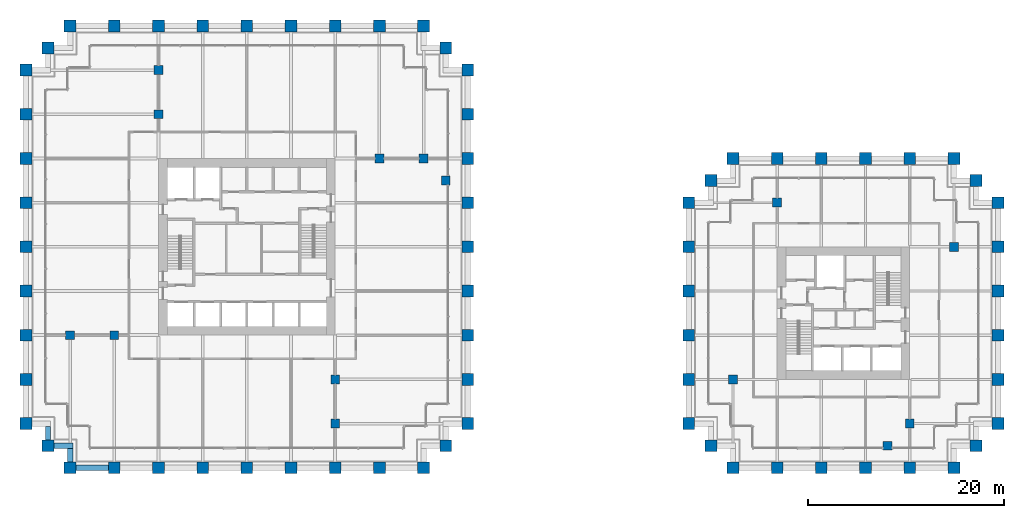
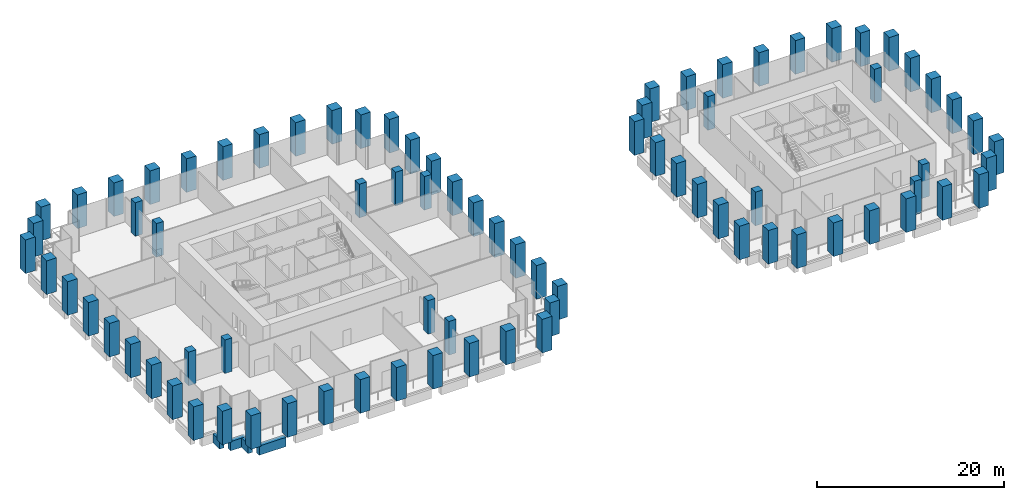
# One storey, part 1 of 36: 82 columns, 4 beams.
"""IFC4 building model written with IfcOpenShell, lengths in metres."""

import ifcopenshell
import ifcopenshell.guid

model = None  # the IFC model being written
_history = None  # IfcOwnerHistory: only IFC2X3 demands one
_inside = {}  # id of a spatial element -> (the spatial element, [elements in it])
_under = {}  # id of a project, library or spatial element -> (it, [spatial elements below it])
_declared = {}  # id of a project -> (the project, [libraries it declares])
_typed = {}  # id of a type object -> (the type object, [elements of that type])
_made_of = {}  # id of a material, layer set ... -> (it, [elements and type objects made of it])


def new_model(schema):
    """Start an empty IFC model of exactly this schema.

    Asked for "IFC4X3", IfcOpenShell would pick the latest addendum, in which some entities
    have other attributes; the version numbers below select the first issue.
    IFC2X3 requires an IfcOwnerHistory on every rooted entity: one is made here for all.
    """
    global model, _history
    if schema == "IFC4X3":
        model = ifcopenshell.file(schema_version=(4, 3, 0, 0))
    else:
        model = ifcopenshell.file(schema=schema)
    _inside.clear()
    _under.clear()
    _declared.clear()
    _typed.clear()
    _made_of.clear()
    _history = None
    if model.schema == "IFC2X3":
        org = make("IfcOrganization", Name="unknown")
        user = make(
            "IfcPersonAndOrganization",
            ThePerson=make("IfcPerson", FamilyName="unknown"),
            TheOrganization=org,
        )
        app = make(
            "IfcApplication",
            ApplicationDeveloper=org,
            Version="unknown",
            ApplicationFullName="unknown",
            ApplicationIdentifier="unknown",
        )
        _history = make(
            "IfcOwnerHistory",
            OwningUser=user,
            OwningApplication=app,
            ChangeAction="ADDED",
            CreationDate=0,
        )
    return model


def make(cls, **values):
    """One entity of the class cls with the attributes given. An attribute that is None is left unset."""
    return model.create_entity(
        cls, **{name: value for name, value in values.items() if value is not None}
    )


def rooted(cls, **values):
    """An entity with a GlobalId (a new one), such as an element, a storey or a relation."""
    return make(cls, GlobalId=ifcopenshell.guid.new(), OwnerHistory=_history, **values)


def si_unit(unit_type, name, prefix=None):
    """IfcSIUnit, for example si_unit("LENGTHUNIT", "METRE", prefix="MILLI")."""
    return make("IfcSIUnit", UnitType=unit_type, Prefix=prefix, Name=name)


def assignment(units):
    """IfcUnitAssignment: the units of a project."""
    return None if units is None else make("IfcUnitAssignment", Units=units)


def point(xyz):
    """IfcCartesianPoint."""
    return None if xyz is None else make("IfcCartesianPoint", Coordinates=xyz)


def direction(xyz):
    """IfcDirection."""
    return None if xyz is None else make("IfcDirection", DirectionRatios=xyz)


def frame(location, z_axis=None, x_axis=None):
    """IfcAxis2Placement3D, a coordinate frame: its origin and axes. An axis left out is left unset."""
    return make(
        "IfcAxis2Placement3D",
        Location=point(location),
        Axis=direction(z_axis),
        RefDirection=direction(x_axis),
    )


def frame_2d(location, x_axis=None):
    """IfcAxis2Placement2D, a coordinate frame in the plane: its origin and x axis."""
    return make(
        "IfcAxis2Placement2D", Location=point(location), RefDirection=direction(x_axis)
    )


def origin():
    """The frame at (0, 0, 0) with its axes left unset."""
    return frame((0.0, 0.0, 0.0))


def origin_2d():
    """The frame at (0, 0) in the plane with its x axis left unset."""
    return frame_2d((0.0, 0.0))


def place(relative_to, where):
    """IfcLocalPlacement: puts the frame where relative to a parent placement (None: the world)."""
    return make(
        "IfcLocalPlacement", PlacementRelTo=relative_to, RelativePlacement=where
    )


def context(
    kind, dimensions, precision=None, world=None, true_north=None, identifier=None
):
    """IfcGeometricRepresentationContext, for example the 3D "Model" context."""
    return make(
        "IfcGeometricRepresentationContext",
        ContextIdentifier=identifier,
        ContextType=kind,
        CoordinateSpaceDimension=dimensions,
        Precision=precision,
        WorldCoordinateSystem=world,
        TrueNorth=true_north,
    )


def subcontext(parent, identifier, kind, view, scale=None):
    """IfcGeometricRepresentationSubContext, for example "Body" below "Model"."""
    return make(
        "IfcGeometricRepresentationSubContext",
        ContextIdentifier=identifier,
        ContextType=kind,
        ParentContext=parent,
        TargetScale=scale,
        TargetView=view,
    )


def project(units=None, contexts=None):
    """IfcProject with its units and contexts."""
    return rooted(
        "IfcProject",
        Name="project",
        RepresentationContexts=contexts,
        UnitsInContext=assignment(units),
    )


def spatial(cls, under=None, at=None, **own):
    """A site, building, storey or space (cls), placed at a placement, below another one or the project."""
    s = rooted(cls, ObjectPlacement=at, **own)
    if under is not None:
        _under.setdefault(under.id(), (under, []))[1].append(s)
    return s


def profile(cls, at=None, kind="AREA", **sizes):
    """A parametric profile (cls). Its sizes go by their IFC names, for example OverallWidth=200.0."""
    return make(cls, ProfileType=kind, Position=at, **sizes)


def rectangle(**sizes):
    """IfcRectangleProfileDef."""
    return profile("IfcRectangleProfileDef", **sizes)


def extrude(swept, where, along, depth):
    """IfcExtrudedAreaSolid: the profile swept, set in the frame where, extruded along a direction by depth."""
    return make(
        "IfcExtrudedAreaSolid",
        SweptArea=swept,
        Position=where,
        ExtrudedDirection=direction(along),
        Depth=depth,
    )


def shape(context_of_items, identifier, shape_type, items):
    """IfcShapeRepresentation: the items that make up one representation, for example the "Body"."""
    return make(
        "IfcShapeRepresentation",
        ContextOfItems=context_of_items,
        RepresentationIdentifier=identifier,
        RepresentationType=shape_type,
        Items=items,
    )


def material(Name=None, Category=None):
    """IfcMaterial."""
    return make("IfcMaterial", Name=Name, Category=Category)


def material_profile(
    of_material, cross_section, Name=None, Category=None, Priority=None
):
    """IfcMaterialProfile: a cross section and its material."""
    return make(
        "IfcMaterialProfile",
        Name=Name,
        Material=of_material,
        Profile=cross_section,
        Priority=Priority,
        Category=Category,
    )


def profile_set(profiles, Name=None, composite=None):
    """IfcMaterialProfileSet."""
    return make(
        "IfcMaterialProfileSet",
        Name=Name,
        MaterialProfiles=profiles,
        CompositeProfile=composite,
    )


def made_of(thing, what):
    """Note that an element or type object is made of a material, layer set ...; save() writes the relation."""
    if what is not None:
        _made_of.setdefault(what.id(), (what, []))[1].append(thing)
    return thing


def type_object(cls, material=None, **own):
    """A type object (cls), such as IfcWallType, which elements share."""
    return made_of(rooted(cls, **own), material)


def element(
    cls,
    number,
    at=None,
    inside=None,
    cuts=None,
    type_object=None,
    material=None,
    context=None,
    identifier="Body",
    shape_type=None,
    held_by="IfcProductDefinitionShape",
    body=None,
    shapes=None,
    **own,
):
    """One element of the class cls, such as IfcWall. Its Tag is "e" and its number.

    at: its placement. inside: the storey or other place that contains it. cuts: it is an
    opening in that element (IfcRelVoidsElement). A single representation is given by context,
    identifier, shape_type and body (its items); several are given by shapes. held_by: the class
    of the entity that holds the representations. save() writes the other relations.
    """
    e = rooted(cls, Tag="e%d" % number, ObjectPlacement=at, **own)
    if body is not None:
        shapes = [shape(context, identifier, shape_type, body)]
    if shapes is not None:
        e.Representation = make(held_by, Representations=shapes)
    if inside is not None:
        _inside.setdefault(inside.id(), (inside, []))[1].append(e)
    if cuts is not None:
        rooted(
            "IfcRelVoidsElement", RelatingBuildingElement=cuts, RelatedOpeningElement=e
        )
    if type_object is not None:
        _typed.setdefault(type_object.id(), (type_object, []))[1].append(e)
    return made_of(e, material)


def aggregate(whole, parts):
    """IfcRelAggregates: a whole, such as a stair, and the parts it consists of."""
    return rooted("IfcRelAggregates", RelatingObject=whole, RelatedObjects=parts)


def save(model, path):
    """Write the relations noted so far, then the file.

    IfcRelAggregates (storeys below a building ...), IfcRelContainedInSpatialStructure (elements
    in a storey), IfcRelDefinesByType, IfcRelAssociatesMaterial and IfcRelDeclares: one each for
    every whole, place, type object, material and project.
    """
    for whole, parts in _under.values():
        aggregate(whole, parts)
    for where, things in _inside.values():
        rooted(
            "IfcRelContainedInSpatialStructure",
            RelatedElements=things,
            RelatingStructure=where,
        )
    for kind, things in _typed.values():
        rooted("IfcRelDefinesByType", RelatedObjects=things, RelatingType=kind)
    for what, things in _made_of.values():
        rooted("IfcRelAssociatesMaterial", RelatedObjects=things, RelatingMaterial=what)
    for by, libraries in _declared.values():
        rooted("IfcRelDeclares", RelatingContext=by, RelatedDefinitions=libraries)
    model.write(path)


model = new_model("IFC4")

# Units and contexts
model_context = context("Model", 3, precision=1e-05, world=origin(), true_north=direction((0.0, 1.0)))
body_context = subcontext(model_context, "Body", "Model", "MODEL_VIEW")
ifc_project = project(units=[si_unit("LENGTHUNIT", "METRE"), si_unit("AREAUNIT", "SQUARE_METRE"), si_unit("VOLUMEUNIT", "CUBIC_METRE"), si_unit("PLANEANGLEUNIT", "RADIAN"), si_unit("MASSUNIT", "GRAM", prefix="KILO")], contexts=[model_context])

# Site, building, storey
site_placement = place(None, origin())
site = spatial("IfcSite", under=ifc_project, at=site_placement, CompositionType="ELEMENT")
building_placement = place(site_placement, origin())
building = spatial("IfcBuilding", under=site, at=building_placement, Name="Altepetl Exchange Towers", CompositionType="ELEMENT")
storey_placement = place(building_placement, frame((0.0, 0.0, 29.800048828125)))
storey = spatial("IfcBuildingStorey", under=building, at=storey_placement, Name="L06", CompositionType="ELEMENT", Elevation=29.800048828125)

# Columns
ifc_material_1 = material(Name="Concrete C70/85", Category="concrete")
ifc_material_profile_1 = material_profile(ifc_material_1, rectangle(XDim=0.89990234375, YDim=0.89990234375, at=origin_2d()), Name="900 x 900")
ifc_profile_set_1 = profile_set([ifc_material_profile_1], Name="Concrete C70/85")
column_type_1 = type_object("IfcColumnType", Name="Interior column 900", PredefinedType="COLUMN", material=ifc_profile_set_1)
for number, where, name in (
    (1, (31.5, 40.5, 0.0), "col:A:L06:040"),
    (2, (36.0, 40.5, 0.0), "col:A:L06:041"),
    (3, (40.5, 63.0, 0.0), "col:A:L06:042"),
    (4, (40.5, 67.5, 0.0), "col:A:L06:043"),
    (5, (58.5, 31.5, 0.0), "col:A:L06:044"),
    (6, (58.5, 36.0, 0.0), "col:A:L06:045"),
    (7, (63.0, 58.5, 0.0), "col:A:L06:046"),
    (8, (67.5, 58.5, 0.0), "col:A:L06:047"),
    (9, (69.75, 56.25, 0.0), "col:A:L06:048"),
    (10, (99.0, 36.0, 0.0), "col:B:L06:028"),
    (11, (103.5, 54.0, 0.0), "col:B:L06:029"),
    (12, (114.75, 29.25, 0.0), "col:B:L06:030"),
    (13, (117.0, 31.5, 0.0), "col:B:L06:031"),
    (14, (121.5, 49.5, 0.0), "col:B:L06:032"),
):
    element("IfcColumn", number, at=place(storey_placement, frame(where)), inside=storey, type_object=column_type_1, Name=name, PredefinedType="COLUMN", context=body_context, shape_type="SweptSolid", body=[
        extrude(rectangle(XDim=0.89990234375, YDim=0.89990234375, at=origin_2d()), origin(), (0.0, 0.0, 1.0), 4.39990234375),
    ])
ifc_material_2 = material(Name="Concrete C70/85 precast with cantera amarilla facing", Category="concrete")
ifc_material_profile_2 = material_profile(ifc_material_2, rectangle(XDim=1.199951171875, YDim=1.199951171875, at=origin_2d()), Name="1200 x 1200")
ifc_profile_set_2 = profile_set([ifc_material_profile_2], Name="Concrete C70/85 precast with cantera amarilla facing")
column_type_2 = type_object("IfcColumnType", Name="Perimeter column 1200 cantera amarilla", PredefinedType="COLUMN", material=ifc_profile_set_2)
for number, where, name in (
    (15, (58.5, 27.0, 0.0), "col:A:L06:006"),
    (16, (63.0, 27.0, 0.0), "col:A:L06:007"),
    (17, (67.5, 27.0, 0.0), "col:A:L06:008"),
    (18, (69.75, 29.25, 0.0), "col:A:L06:009"),
    (19, (72.0, 31.5, 0.0), "col:A:L06:010"),
    (20, (72.0, 36.0, 0.0), "col:A:L06:011"),
    (21, (72.0, 40.5, 0.0), "col:A:L06:012"),
    (22, (72.0, 45.0, 0.0), "col:A:L06:013"),
    (23, (72.0, 49.5, 0.0), "col:A:L06:014"),
    (24, (72.0, 54.0, 0.0), "col:A:L06:015"),
    (25, (126.0, 49.5, 0.0), "col:B:L06:011"),
    (26, (126.0, 54.0, 0.0), "col:B:L06:012"),
    (27, (123.75, 56.25, 0.0), "col:B:L06:013"),
    (28, (121.5, 58.5, 0.0), "col:B:L06:014"),
    (29, (117.0, 58.5, 0.0), "col:B:L06:015"),
    (30, (112.5, 58.5, 0.0), "col:B:L06:016"),
    (31, (108.0, 58.5, 0.0), "col:B:L06:017"),
):
    element("IfcColumn", number, at=place(storey_placement, frame(where)), inside=storey, type_object=column_type_2, Name=name, PredefinedType="COLUMN", context=body_context, shape_type="SweptSolid", body=[
        extrude(rectangle(XDim=1.199951171875, YDim=1.199951171875, at=origin_2d()), origin(), (0.0, 0.0, 1.0), 4.39990234375),
    ])
ifc_material_3 = material(Name="Concrete C70/85 precast with cantera blanca facing", Category="concrete")
ifc_material_profile_3 = material_profile(ifc_material_3, rectangle(XDim=1.199951171875, YDim=1.199951171875, at=origin_2d()), Name="1200 x 1200")
ifc_profile_set_3 = profile_set([ifc_material_profile_3], Name="Concrete C70/85 precast with cantera blanca facing")
column_type_3 = type_object("IfcColumnType", Name="Perimeter column 1200 cantera blanca", PredefinedType="COLUMN", material=ifc_profile_set_3)
for number, where, name in (
    (32, (31.5, 27.0, 0.0), "col:A:L06:000"),
    (33, (36.0, 27.0, 0.0), "col:A:L06:001"),
    (34, (40.5, 27.0, 0.0), "col:A:L06:002"),
    (35, (45.0, 27.0, 0.0), "col:A:L06:003"),
    (36, (49.5, 27.0, 0.0), "col:A:L06:004"),
    (37, (54.0, 27.0, 0.0), "col:A:L06:005"),
    (38, (27.0, 36.0, 0.0), "col:A:L06:037"),
    (39, (27.0, 31.5, 0.0), "col:A:L06:038"),
    (40, (29.25, 29.25, 0.0), "col:A:L06:039"),
    (41, (117.0, 27.0, 0.0), "col:B:L06:004"),
    (42, (121.5, 27.0, 0.0), "col:B:L06:005"),
    (43, (123.75, 29.25, 0.0), "col:B:L06:006"),
    (44, (126.0, 31.5, 0.0), "col:B:L06:007"),
    (45, (126.0, 36.0, 0.0), "col:B:L06:008"),
    (46, (126.0, 40.5, 0.0), "col:B:L06:009"),
    (47, (126.0, 45.0, 0.0), "col:B:L06:010"),
):
    element("IfcColumn", number, at=place(storey_placement, frame(where)), inside=storey, type_object=column_type_3, Name=name, PredefinedType="COLUMN", context=body_context, shape_type="SweptSolid", body=[
        extrude(rectangle(XDim=1.199951171875, YDim=1.199951171875, at=origin_2d()), origin(), (0.0, 0.0, 1.0), 4.39990234375),
    ])
ifc_material_4 = material(Name="Concrete C70/85 precast with cantera rosa facing", Category="concrete")
ifc_material_profile_4 = material_profile(ifc_material_4, rectangle(XDim=1.199951171875, YDim=1.199951171875, at=origin_2d()), Name="1200 x 1200")
ifc_profile_set_4 = profile_set([ifc_material_profile_4], Name="Concrete C70/85 precast with cantera rosa facing")
column_type_4 = type_object("IfcColumnType", Name="Perimeter column 1200 cantera rosa", PredefinedType="COLUMN", material=ifc_profile_set_4)
for number, where, name in (
    (48, (72.0, 58.5, 0.0), "col:A:L06:016"),
    (49, (72.0, 63.0, 0.0), "col:A:L06:017"),
    (50, (72.0, 67.5, 0.0), "col:A:L06:018"),
    (51, (69.75, 69.75, 0.0), "col:A:L06:019"),
    (52, (67.5, 72.0, 0.0), "col:A:L06:020"),
    (53, (63.0, 72.0, 0.0), "col:A:L06:021"),
    (54, (58.5, 72.0, 0.0), "col:A:L06:022"),
    (55, (54.0, 72.0, 0.0), "col:A:L06:023"),
    (56, (49.5, 72.0, 0.0), "col:A:L06:024"),
    (57, (45.0, 72.0, 0.0), "col:A:L06:025"),
    (58, (103.5, 58.5, 0.0), "col:B:L06:018"),
    (59, (99.0, 58.5, 0.0), "col:B:L06:019"),
    (60, (96.75, 56.25, 0.0), "col:B:L06:020"),
    (61, (94.5, 54.0, 0.0), "col:B:L06:021"),
    (62, (94.5, 49.5, 0.0), "col:B:L06:022"),
    (63, (94.5, 45.0, 0.0), "col:B:L06:023"),
    (64, (94.5, 40.5, 0.0), "col:B:L06:024"),
    (65, (94.5, 36.0, 0.0), "col:B:L06:025"),
):
    element("IfcColumn", number, at=place(storey_placement, frame(where)), inside=storey, type_object=column_type_4, Name=name, PredefinedType="COLUMN", context=body_context, shape_type="SweptSolid", body=[
        extrude(rectangle(XDim=1.199951171875, YDim=1.199951171875, at=origin_2d()), origin(), (0.0, 0.0, 1.0), 4.39990234375),
    ])
ifc_material_5 = material(Name="Concrete C70/85 precast with tezontle facing", Category="concrete")
ifc_material_profile_5 = material_profile(ifc_material_5, rectangle(XDim=1.199951171875, YDim=1.199951171875, at=origin_2d()), Name="1200 x 1200")
ifc_profile_set_5 = profile_set([ifc_material_profile_5], Name="Concrete C70/85 precast with tezontle facing")
column_type_5 = type_object("IfcColumnType", Name="Perimeter column 1200 tezontle", PredefinedType="COLUMN", material=ifc_profile_set_5)
for number, where, name in (
    (66, (40.5, 72.0, 0.0), "col:A:L06:026"),
    (67, (36.0, 72.0, 0.0), "col:A:L06:027"),
    (68, (31.5, 72.0, 0.0), "col:A:L06:028"),
    (69, (29.25, 69.75, 0.0), "col:A:L06:029"),
    (70, (27.0, 67.5, 0.0), "col:A:L06:030"),
    (71, (27.0, 63.0, 0.0), "col:A:L06:031"),
    (72, (27.0, 58.5, 0.0), "col:A:L06:032"),
    (73, (27.0, 54.0, 0.0), "col:A:L06:033"),
    (74, (27.0, 49.5, 0.0), "col:A:L06:034"),
    (75, (27.0, 45.0, 0.0), "col:A:L06:035"),
    (76, (27.0, 40.5, 0.0), "col:A:L06:036"),
    (77, (99.0, 27.0, 0.0), "col:B:L06:000"),
    (78, (103.5, 27.0, 0.0), "col:B:L06:001"),
    (79, (108.0, 27.0, 0.0), "col:B:L06:002"),
    (80, (112.5, 27.0, 0.0), "col:B:L06:003"),
    (81, (94.5, 31.5, 0.0), "col:B:L06:026"),
    (82, (96.75, 29.25, 0.0), "col:B:L06:027"),
):
    element("IfcColumn", number, at=place(storey_placement, frame(where)), inside=storey, type_object=column_type_5, Name=name, PredefinedType="COLUMN", context=body_context, shape_type="SweptSolid", body=[
        extrude(rectangle(XDim=1.199951171875, YDim=1.199951171875, at=origin_2d()), origin(), (0.0, 0.0, 1.0), 4.39990234375),
    ])

# Beams
ifc_material_6 = material(Name="Concrete C50/60 precast with cantera blanca facing", Category="concrete")
ifc_material_profile_6 = material_profile(ifc_material_6, rectangle(XDim=0.550048828125, YDim=1.199951171875, at=origin_2d()), Name="550 x 1200")
ifc_profile_set_6 = profile_set([ifc_material_profile_6], Name="Concrete C50/60 precast with cantera blanca facing")
beam_type = type_object("IfcBeamType", Name="Spandrel beam 550x1200 cantera blanca", PredefinedType="SPANDREL", material=ifc_profile_set_6)
beam_1_placement = place(storey_placement, frame((32.10009765625, 27.0, -0.775146484375), z_axis=(1.0, 0.0, 0.0), x_axis=(0.0, 1.0, 0.0)))
element("IfcBeam", 83, at=beam_1_placement, inside=storey, type_object=beam_type, Name="sp:A:L06:000", PredefinedType="SPANDREL", context=body_context, shape_type="SweptSolid", body=[
    extrude(rectangle(XDim=0.550048828125, YDim=1.199951171875, at=origin_2d()), origin(), (0.0, 0.0, 1.0), 3.2998046875),
])
beam_2_placement = place(storey_placement, frame((29.25, 31.22509765625, -0.775146484375), z_axis=(0.0, -1.0, 0.0), x_axis=(1.0, 0.0, 0.0)))
element("IfcBeam", 84, at=beam_2_placement, inside=storey, type_object=beam_type, Name="sp:A:L06:045", PredefinedType="SPANDREL", context=body_context, shape_type="SweptSolid", body=[
    extrude(rectangle(XDim=0.550048828125, YDim=1.199951171875, at=origin_2d()), origin(), (0.0, 0.0, 1.0), 1.375),
])
beam_3_placement = place(storey_placement, frame((29.85009765625, 29.25, -0.775146484375), z_axis=(1.0, 0.0, 0.0), x_axis=(0.0, 1.0, 0.0)))
element("IfcBeam", 85, at=beam_3_placement, inside=storey, type_object=beam_type, Name="sp:A:L06:046", PredefinedType="SPANDREL", context=body_context, shape_type="SweptSolid", body=[
    extrude(rectangle(XDim=0.550048828125, YDim=1.199951171875, at=origin_2d()), origin(), (0.0, 0.0, 1.0), 1.9248046875),
])
beam_4_placement = place(storey_placement, frame((31.5, 28.97509765625, -0.775146484375), z_axis=(0.0, -1.0, 0.0), x_axis=(1.0, 0.0, 0.0)))
element("IfcBeam", 86, at=beam_4_placement, inside=storey, type_object=beam_type, Name="sp:A:L06:047", PredefinedType="SPANDREL", context=body_context, shape_type="SweptSolid", body=[
    extrude(rectangle(XDim=0.550048828125, YDim=1.199951171875, at=origin_2d()), origin(), (0.0, 0.0, 1.0), 1.375),
])

save(model, "model.ifc")
